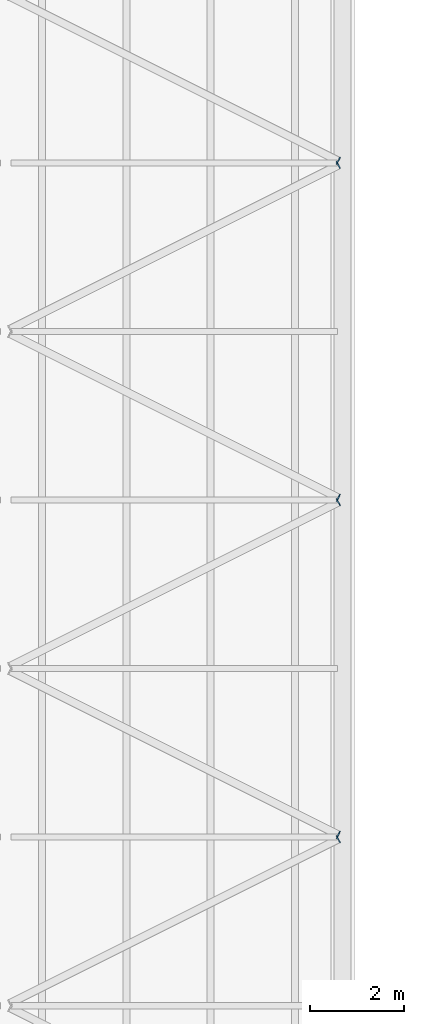
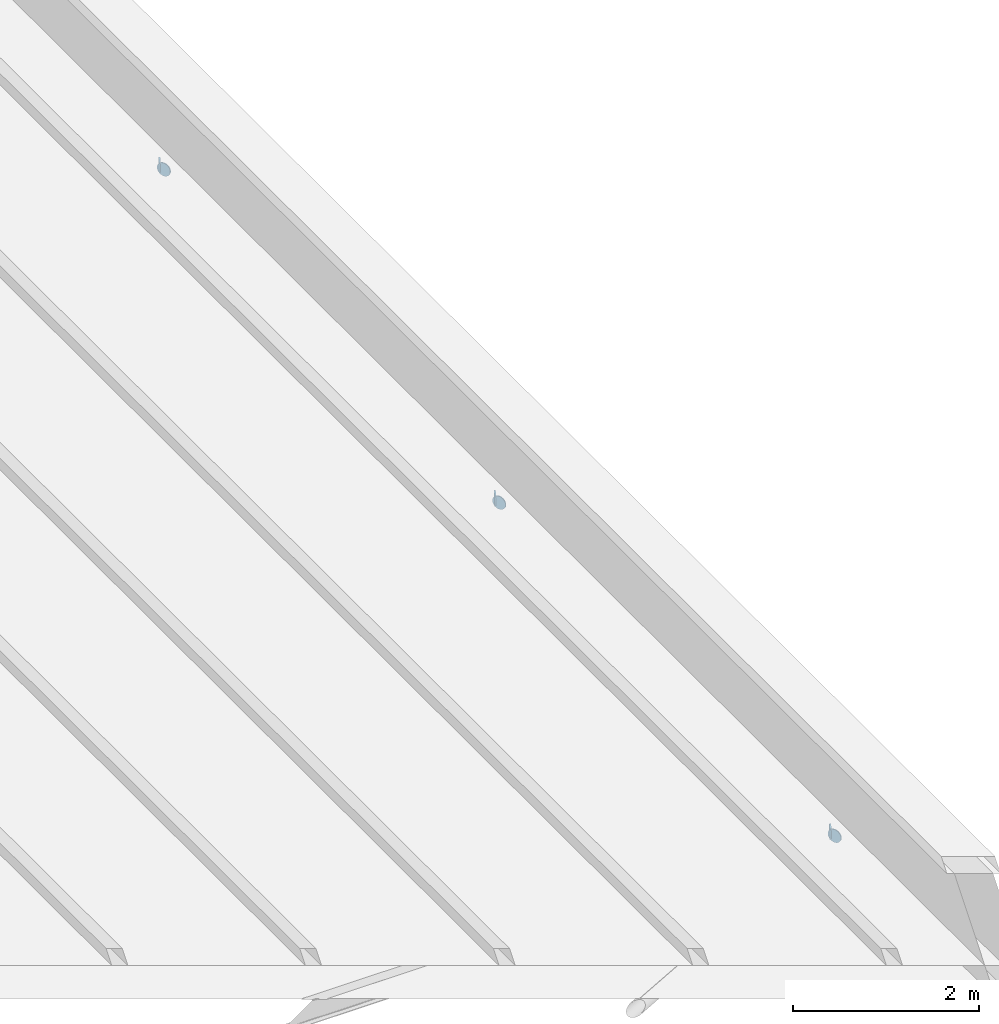
# One storey, part 79 of 110: 6 discrete accessories.
"""IFC4 building model written with IfcOpenShell, lengths in metres."""

from ifc_helpers import new_model, si_unit, direction, frame, origin, origin_2d, place, context, subcontext, project, spatial, circle, extrude, material, layer, layer_set, type_object, element, save


model = new_model("IFC4")

# Units and contexts
model_context = context("Model", 3, precision=1e-05, world=origin(), true_north=direction((0.0, 1.0)))
body_context = subcontext(model_context, "Body", "Model", "MODEL_VIEW")
ifc_project = project(units=[si_unit("LENGTHUNIT", "METRE"), si_unit("AREAUNIT", "SQUARE_METRE"), si_unit("VOLUMEUNIT", "CUBIC_METRE"), si_unit("PLANEANGLEUNIT", "RADIAN"), si_unit("MASSUNIT", "GRAM", prefix="KILO")], contexts=[model_context])

# Site, building, storey
site_placement = place(None, origin())
site = spatial("IfcSite", under=ifc_project, at=site_placement, CompositionType="ELEMENT")
building_placement = place(site_placement, origin())
building = spatial("IfcBuilding", under=site, at=building_placement, Name="Kupolbacken Congress Centre", CompositionType="ELEMENT")
storey_placement = place(building_placement, frame((0.0, 0.0, 18.0)))
storey = spatial("IfcBuildingStorey", under=building, at=storey_placement, Name="L05", CompositionType="ELEMENT", Elevation=18.0)

# Discrete accessories
ifc_material = material(Name="Steel S355", Category="steel")
ifc_layer = layer(ifc_material, 0.011962890625)
ifc_layer_set = layer_set([ifc_layer], Name="Steel S355")
discrete_accessory_type = type_object("IfcDiscreteAccessoryType", Name="EC2 tube end cap plate 168 dia x 12", PredefinedType="BRACKET", material=ifc_layer_set)
for number, where, z_axis, x_axis, name in (
    (1, (201.501708984375, 129.55078125, -0.084228515625), (0.890248162977, 0.455475804314, 0.0), (-0.455475804314, 0.890248162977, 0.0), "End cap plate BR/RB/07-01 B"),
    (2, (201.501708984375, 129.649169921875, -0.084228515625), (0.890248162977, -0.455475804314, 0.0), (0.455475804314, 0.890248162977, 0.0), "End cap plate BR/RB/07-02 A"),
    (3, (201.501708984375, 136.750732421875, -0.084228515625), (0.890248162977, 0.455475804314, 0.0), (-0.455475804314, 0.890248162977, 0.0), "End cap plate BR/RB/07-03 B"),
    (4, (201.501708984375, 136.84912109375, -0.084228515625), (0.890248162977, -0.455475804314, 0.0), (0.455475804314, 0.890248162977, 0.0), "End cap plate BR/RB/07-04 A"),
):
    element("IfcDiscreteAccessory", number, at=place(storey_placement, frame(where, z_axis=z_axis, x_axis=x_axis)), inside=storey, type_object=discrete_accessory_type, Name=name, PredefinedType="BRACKET", context=body_context, shape_type="SweptSolid", body=[
        extrude(circle(Radius=0.084228515625, at=origin_2d()), origin(), (0.0, 0.0, 1.0), 0.01171875),
    ])
for number, where, z_axis, x_axis, name in (
    (5, (201.501708984375, 143.95068359375, -0.084228515625), (0.881784641935, 0.471652250337, 0.0), (-0.471652250337, 0.881784641935, 0.0), "End cap plate BR/RB/07-05 B"),
    (6, (201.501708984375, 144.04931640625, -0.084228515625), (0.881784641935, -0.471652250337, 0.0), (0.471652250337, 0.881784641935, 0.0), "End cap plate BR/RB/07-06 A"),
):
    element("IfcDiscreteAccessory", number, at=place(storey_placement, frame(where, z_axis=z_axis, x_axis=x_axis)), inside=storey, type_object=discrete_accessory_type, Name=name, PredefinedType="BRACKET", context=body_context, shape_type="SweptSolid", body=[
        extrude(circle(Radius=0.084228515625, at=origin_2d()), origin(), (0.0, 0.0, 1.0), 0.011962890625),
    ])

save(model, "model.ifc")
